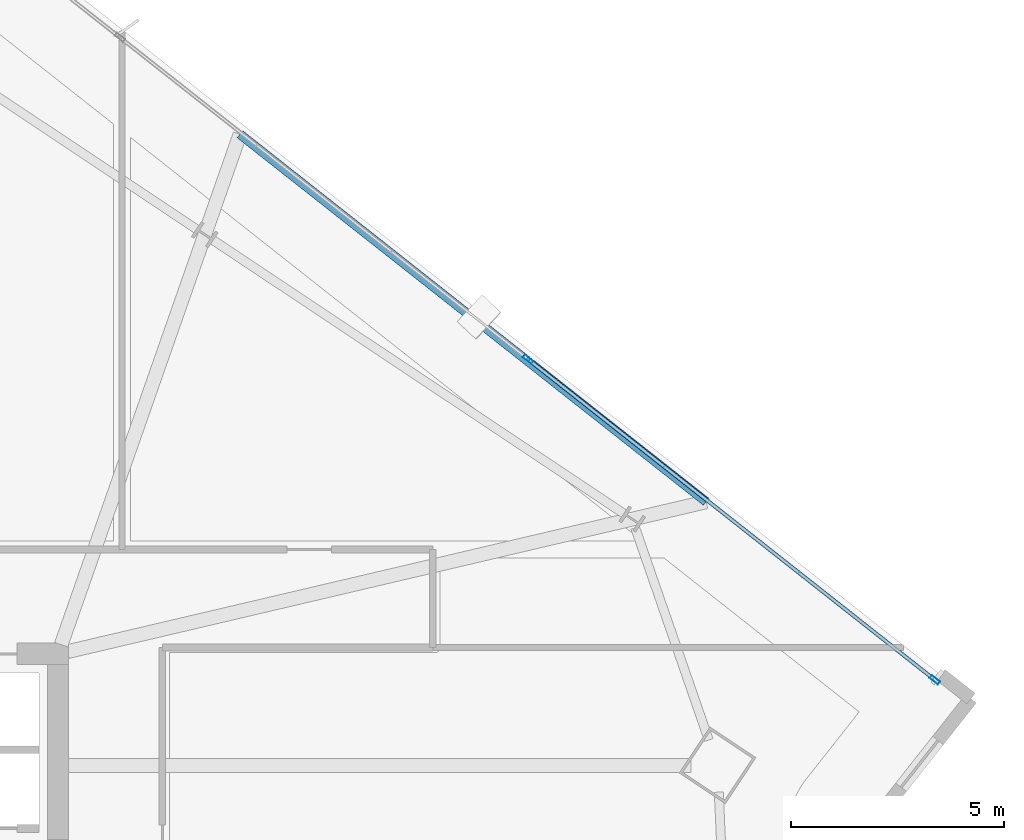
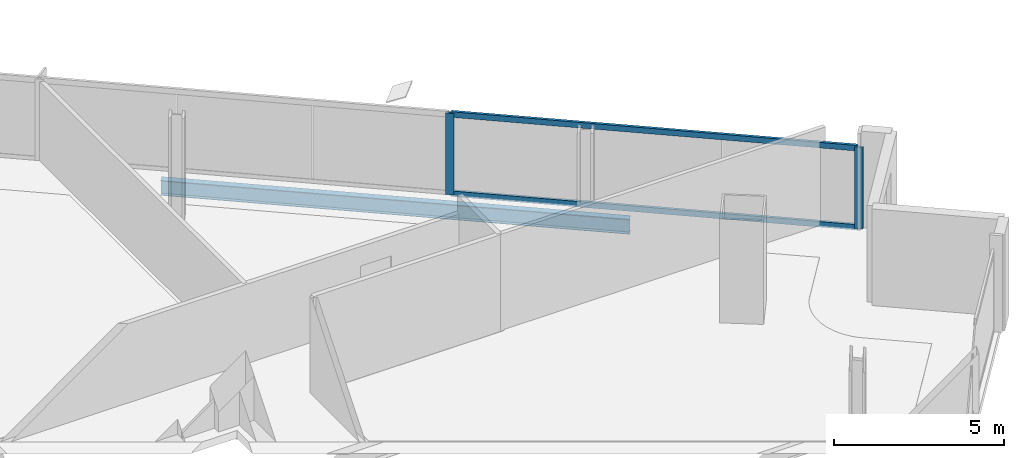
# One storey, part 17 of 28: 4 members, 1 beam, 1 element without a shape of its own.
"""IFC4 building model written with IfcOpenShell, lengths in metres."""

from ifc_helpers import new_model, si_unit, direction, frame, origin, origin_2d, place, context, subcontext, project, spatial, hollow_rectangle, i_section, extrude, material, material_profile, profile_set, type_object, element, aggregate, save


model = new_model("IFC4")

# Units and contexts
model_context = context("Model", 3, precision=1e-05, world=origin(), true_north=direction((0.0, 1.0)))
body_context = subcontext(model_context, "Body", "Model", "MODEL_VIEW")
ifc_project = project(units=[si_unit("LENGTHUNIT", "METRE"), si_unit("AREAUNIT", "SQUARE_METRE"), si_unit("VOLUMEUNIT", "CUBIC_METRE"), si_unit("PLANEANGLEUNIT", "RADIAN"), si_unit("MASSUNIT", "GRAM", prefix="KILO")], contexts=[model_context])

# Site, building, storey
site_placement = place(None, origin())
site = spatial("IfcSite", under=ifc_project, at=site_placement, CompositionType="ELEMENT")
building_placement = place(site_placement, origin())
building = spatial("IfcBuilding", under=site, at=building_placement, Name="Haldenkirk Collegiate Tower", CompositionType="ELEMENT")
storey_placement = place(building_placement, frame((0.0, 0.0, 202.199951171875)))
storey = spatial("IfcBuildingStorey", under=building, at=storey_placement, Name="L50", CompositionType="ELEMENT", Elevation=202.199951171875)

# Beam
ifc_material_1 = material(Name="Steel ASTM A992 Grade 50", Category="steel")
ifc_material_profile_1 = material_profile(ifc_material_1, i_section(OverallWidth=0.2099609375, OverallDepth=0.537109375, WebThickness=0.010986328125, FlangeThickness=0.017333984375, at=origin_2d()), Name="W21X68")
ifc_profile_set_1 = profile_set([ifc_material_profile_1], Name="Steel ASTM A992 Grade 50")
beam_type = type_object("IfcBeamType", Name="BM-SPANDREL-W21X68", PredefinedType="SPANDREL", material=ifc_profile_set_1)
beam_placement = place(storey_placement, frame((60.2177734375, 37.571044921875, -0.54833984375), z_axis=(-0.785311258778, 0.61910114427, 0.0), x_axis=(-0.61910114427, -0.785311258778, 0.0)))
element("IfcBeam", 1, at=beam_placement, inside=storey, type_object=beam_type, Name="L50 outer facade edge beam 2", PredefinedType="SPANDREL", context=body_context, shape_type="SweptSolid", body=[
    extrude(i_section(OverallWidth=0.2099609375, OverallDepth=0.537109375, WebThickness=0.010986328125, FlangeThickness=0.017333984375, at=origin_2d()), origin(), (0.0, 0.0, 1.0), 13.9365234375),
])

# Curtain wall, members
ifc_material_2 = material(Name="Anodised architectural bronze aluminium", Category="aluminium")
curtain_wall_type = type_object("IfcCurtainWallType", Name="CW-SYS1B-CONVEX-HI", PredefinedType="USERDEFINED", material=ifc_material_2)
curtain_wall_placement = place(storey_placement, origin())
curtain_wall = element("IfcCurtainWall", 2, at=curtain_wall_placement, inside=storey, type_object=curtain_wall_type, Name="L50 Upper tower high-wind convex bronze unitised curtain wall", ObjectType="UNITISED CURTAIN WALL", PredefinedType="USERDEFINED")
ifc_material_profile_2 = material_profile(ifc_material_2, hollow_rectangle(XDim=0.0849609375, YDim=0.25, WallThickness=0.0048828125, at=origin_2d()), Name="CW-MUL-1B")
ifc_profile_set_2 = profile_set([ifc_material_profile_2], Name="Anodised architectural bronze aluminium")
member_type_1 = type_object("IfcMemberType", Name="CW-MUL-1B", PredefinedType="MULLION", material=ifc_profile_set_2)
member_1_placement = place(storey_placement, frame((56.037109375, 40.917724609375, 0.0), z_axis=(0.0, 0.0, 1.0), x_axis=(0.619093295434, 0.785317446355, 0.0)))
member_1 = element("IfcMember", 3, at=member_1_placement, type_object=member_type_1, Name="CW-1B mullion 3", PredefinedType="MULLION", context=body_context, shape_type="SweptSolid", body=[
    extrude(hollow_rectangle(XDim=0.0849609375, YDim=0.25, WallThickness=0.0048828125, at=origin_2d()), origin(), (0.0, 0.0, 1.0), 2.927978515625),
])
member_2_placement = place(storey_placement, frame((65.584716796875, 33.39111328125, 0.0), z_axis=(0.0, 0.0, 1.0), x_axis=(0.619093295434, 0.785317446355, 0.0)))
member_2 = element("IfcMember", 4, at=member_2_placement, type_object=member_type_1, Name="CW-1B mullion 4", PredefinedType="MULLION", context=body_context, shape_type="SweptSolid", body=[
    extrude(hollow_rectangle(XDim=0.0849609375, YDim=0.25, WallThickness=0.0048828125, at=origin_2d()), origin(), (0.0, 0.0, 1.0), 2.927978515625),
])
ifc_material_profile_3 = material_profile(ifc_material_2, hollow_rectangle(XDim=0.0849609375, YDim=0.199951171875, WallThickness=0.0048828125, at=origin_2d()), Name="CW-TRN-1B")
ifc_profile_set_3 = profile_set([ifc_material_profile_3], Name="Anodised architectural bronze aluminium")
member_type_2 = type_object("IfcMemberType", Name="CW-TRN-1B", PredefinedType="USERDEFINED", material=ifc_profile_set_3)
member_3_placement = place(storey_placement, frame((56.070556640625, 40.891357421875, 0.04248046875), z_axis=(0.785321539815, -0.61908810286, 0.0), x_axis=(0.61908810286, 0.785321539815, 0.0)))
member_3 = element("IfcMember", 5, at=member_3_placement, type_object=member_type_2, Name="CW-1B transom 3.1", ObjectType="TRANSOM", PredefinedType="USERDEFINED", context=body_context, shape_type="SweptSolid", body=[
    extrude(hollow_rectangle(XDim=0.0849609375, YDim=0.199951171875, WallThickness=0.0048828125, at=origin_2d()), origin(), (0.0, 0.0, 1.0), 12.072509765625),
])
member_4_placement = place(storey_placement, frame((56.070556640625, 40.891357421875, 2.885498046875), z_axis=(0.785321539815, -0.61908810286, 0.0), x_axis=(0.61908810286, 0.785321539815, 0.0)))
member_4 = element("IfcMember", 6, at=member_4_placement, type_object=member_type_2, Name="CW-1B transom 3.2", ObjectType="TRANSOM", PredefinedType="USERDEFINED", context=body_context, shape_type="SweptSolid", body=[
    extrude(hollow_rectangle(XDim=0.0849609375, YDim=0.199951171875, WallThickness=0.0048828125, at=origin_2d()), origin(), (0.0, 0.0, 1.0), 12.072509765625),
])
aggregate(curtain_wall, [member_1, member_2, member_3, member_4])

save(model, "model.ifc")
